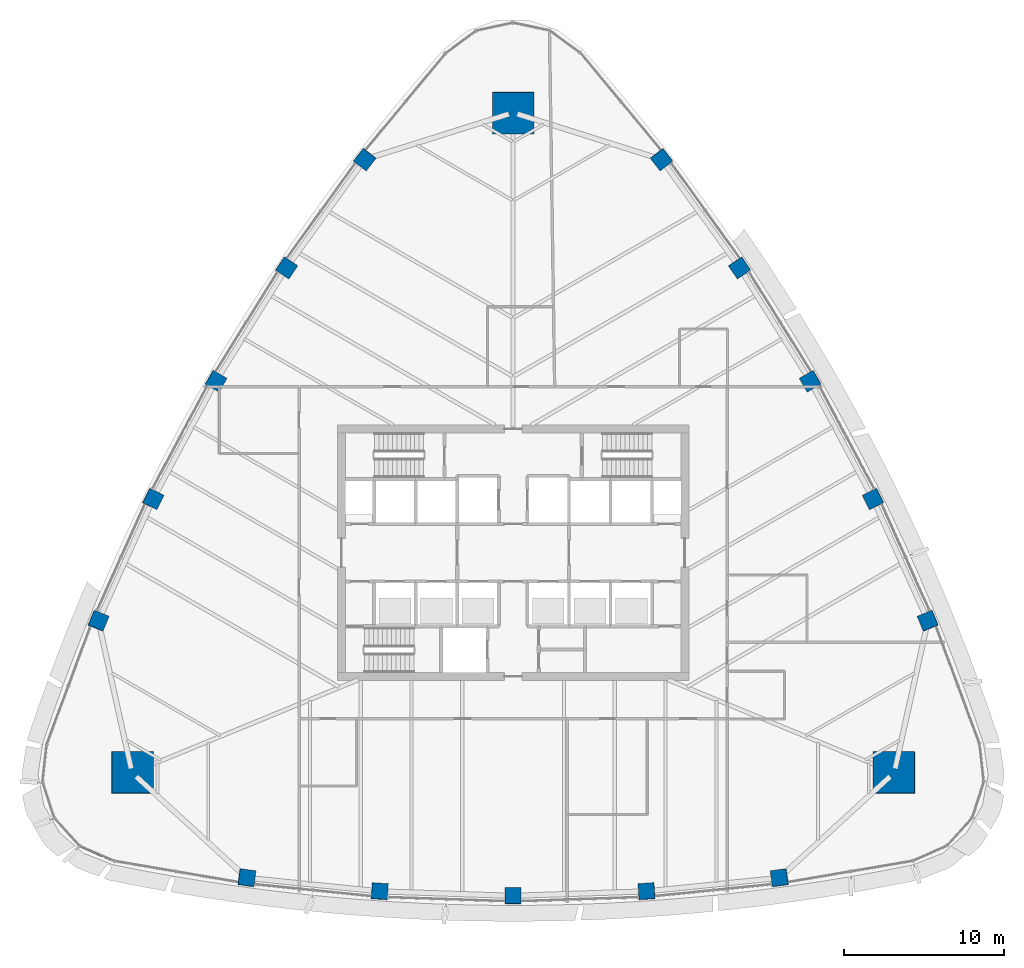
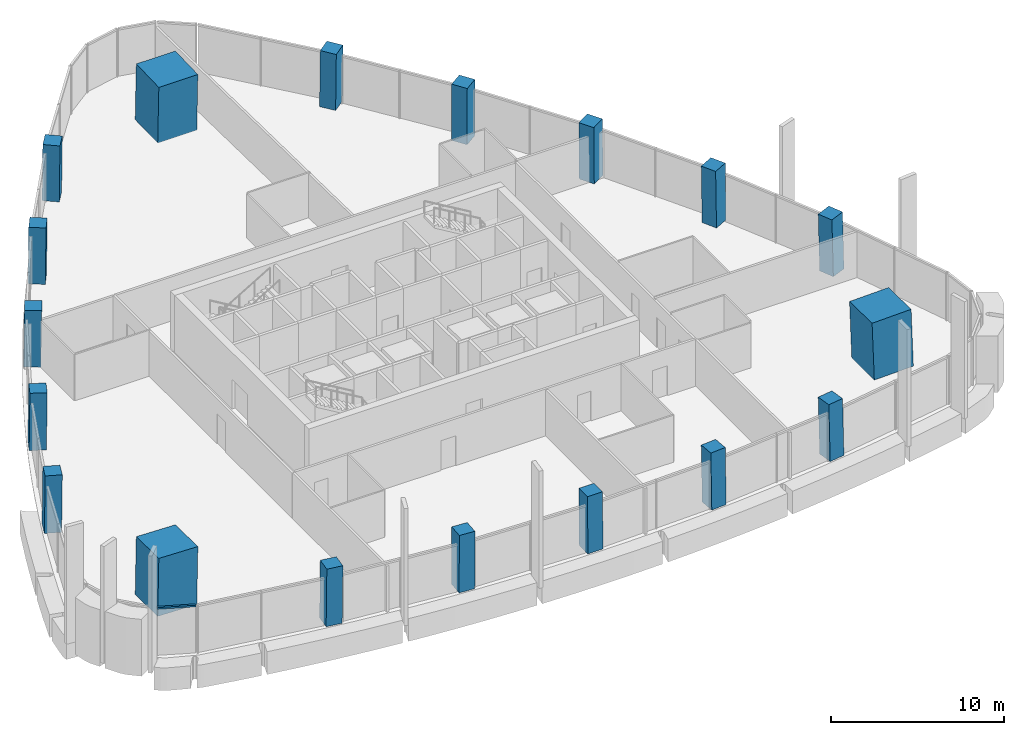
# One storey, part 1 of 17: 18 columns, 1 member, 1 element without a shape of its own.
"""IFC4 building model written with IfcOpenShell, lengths in metres."""

from ifc_helpers import new_model, si_unit, direction, frame, origin, origin_2d, place, context, subcontext, project, spatial, rectangle, extrude, material, layer, layer_set, material_profile, profile_set, type_object, element, aggregate, save


model = new_model("IFC4")

# Units and contexts
model_context = context("Model", 3, precision=1e-05, world=origin(), true_north=direction((0.0, 1.0)))
body_context = subcontext(model_context, "Body", "Model", "MODEL_VIEW")
ifc_project = project(units=[si_unit("LENGTHUNIT", "METRE"), si_unit("AREAUNIT", "SQUARE_METRE"), si_unit("VOLUMEUNIT", "CUBIC_METRE"), si_unit("PLANEANGLEUNIT", "RADIAN"), si_unit("MASSUNIT", "GRAM", prefix="KILO")], contexts=[model_context])

# Site, building, storey
site_placement = place(None, origin())
site = spatial("IfcSite", under=ifc_project, at=site_placement, CompositionType="ELEMENT")
building_placement = place(site_placement, origin())
building = spatial("IfcBuilding", under=site, at=building_placement, Name="Sierra Prisma Convention Tower", CompositionType="ELEMENT")
storey_placement = place(building_placement, frame((0.0, 0.0, 169.800048828125)))
storey = spatial("IfcBuildingStorey", under=building, at=storey_placement, Name="L37", CompositionType="ELEMENT", Elevation=169.800048828125)

# Columns
ifc_material_1 = material(Name="Concrete C60/75", Category="concrete")
ifc_material_profile_1 = material_profile(ifc_material_1, rectangle(XDim=2.60009765625, YDim=2.60009765625, at=origin_2d()), Name="Mega column RC 2600 C60/75")
ifc_profile_set_1 = profile_set([ifc_material_profile_1], Name="Concrete C60/75")
column_type_1 = type_object("IfcColumnType", Name="Mega column RC 2600 C60/75", PredefinedType="COLUMN", material=ifc_profile_set_1)
for number, where, z_axis, x_axis, name in (
    (1, (23.859375, -13.775146484375, 0.0), (-0.028000489904, 0.016165860184, 0.999477182096), (0.999607909415, 0.000452829555, 0.027996828039), "Mega column SE L37"),
    (2, (0.0, 27.55029296875, 0.0), (0.0, -0.032331720729, 0.999477193254), (1.0, 0.0, 0.0), "Mega column N L37"),
    (3, (-23.859375, -13.775146484375, 0.0), (0.028000489904, 0.016165860184, 0.999477182096), (0.999607909415, -0.000452829555, -0.027996828039), "Mega column SW L37"),
):
    element("IfcColumn", number, at=place(storey_placement, frame(where, z_axis=z_axis, x_axis=x_axis)), inside=storey, type_object=column_type_1, Name=name, PredefinedType="COLUMN", context=body_context, shape_type="SweptSolid", body=[
        extrude(rectangle(XDim=2.60009765625, YDim=2.60009765625, at=origin_2d()), origin(), (0.0, 0.0, 1.0), 4.002197265625),
    ])
ifc_material_2 = material(Name="Concrete C60/75", Category="concrete")
ifc_material_profile_2 = material_profile(ifc_material_2, rectangle(XDim=1.0, YDim=1.0, at=origin_2d()), Name="Perimeter column RC 1000 C60/75")
ifc_profile_set_2 = profile_set([ifc_material_profile_2], Name="Concrete C60/75")
column_type_2 = type_object("IfcColumnType", Name="Perimeter column RC 1000 C60/75", PredefinedType="COLUMN", material=ifc_profile_set_2)
column_1_placement = place(storey_placement, frame((-16.677490234375, -20.3564453125, 0.0), z_axis=(0.017635456472, 0.010434820265, 0.999790030557), x_axis=(-0.990763029768, 0.134648970227, 0.016070894879)))
element("IfcColumn", 4, at=column_1_placement, inside=storey, type_object=column_type_2, Name="Perimeter column S-1 L37", PredefinedType="COLUMN", context=body_context, shape_type="SweptSolid", body=[
    extrude(rectangle(XDim=1.0, YDim=1.0, at=origin_2d()), origin(), (0.0, 0.0, 1.0), 4.000732421875),
])
column_2_placement = place(storey_placement, frame((-8.35791015625, -21.200927734375, 0.0), z_axis=(0.008849199152, 0.01116829962, 0.999898475225), x_axis=(-0.99768763363, 0.067484561541, 0.008075868659)))
element("IfcColumn", 5, at=column_2_placement, inside=storey, type_object=column_type_2, Name="Perimeter column S-2 L37", PredefinedType="COLUMN", context=body_context, shape_type="SweptSolid", body=[
    extrude(rectangle(XDim=1.0, YDim=1.0, at=origin_2d()), origin(), (0.0, 0.0, 1.0), 4.00048828125),
])
column_3_placement = place(storey_placement, frame((0.0, -21.48291015625, 0.0), z_axis=(0.0, 0.011473854038, 0.99993417317), x_axis=(1.0, 0.0, 0.0)))
element("IfcColumn", 6, at=column_3_placement, inside=storey, type_object=column_type_2, Name="Perimeter column S-3 L37", PredefinedType="COLUMN", context=body_context, shape_type="SweptSolid", body=[
    extrude(rectangle(XDim=1.0, YDim=1.0, at=origin_2d()), origin(), (0.0, 0.0, 1.0), 4.000244140625),
])
column_4_placement = place(storey_placement, frame((8.35791015625, -21.200927734375, 0.0), z_axis=(-0.008849199152, 0.01116829962, 0.999898475225), x_axis=(0.99768763363, 0.067484561541, 0.008075868659)))
element("IfcColumn", 7, at=column_4_placement, inside=storey, type_object=column_type_2, Name="Perimeter column S-4 L37", PredefinedType="COLUMN", context=body_context, shape_type="SweptSolid", body=[
    extrude(rectangle(XDim=1.0, YDim=1.0, at=origin_2d()), origin(), (0.0, 0.0, 1.0), 4.00048828125),
])
for number, where, z_axis, x_axis, name in (
    (8, (16.677490234375, -20.3564453125, 0.0), (-0.017635456472, 0.010434820265, 0.999790030557), (0.990763029768, 0.134648970227, 0.016070894879), "Perimeter column S-5 L37"),
    (9, (25.968017578125, -4.264892578125, 0.0), (-0.0178795464, 0.010007664197, 0.999790062202), (-0.378940157256, 0.925282184988, -0.016038558619), "Perimeter column NE-1 L37"),
):
    element("IfcColumn", number, at=place(storey_placement, frame(where, z_axis=z_axis, x_axis=x_axis)), inside=storey, type_object=column_type_2, Name=name, PredefinedType="COLUMN", context=body_context, shape_type="SweptSolid", body=[
        extrude(rectangle(XDim=1.0, YDim=1.0, at=origin_2d()), origin(), (0.0, 0.0, 1.0), 4.000732421875),
    ])
column_5_placement = place(storey_placement, frame((22.539306640625, 3.3623046875, 0.0), z_axis=(-0.014097689605, 0.002074984617, 0.999898469639), x_axis=(-0.440457987569, 0.897736925302, -0.008073049963)))
element("IfcColumn", 10, at=column_5_placement, inside=storey, type_object=column_type_2, Name="Perimeter column NE-2 L37", PredefinedType="COLUMN", context=body_context, shape_type="SweptSolid", body=[
    extrude(rectangle(XDim=1.0, YDim=1.0, at=origin_2d()), origin(), (0.0, 0.0, 1.0), 4.00048828125),
])
column_6_placement = place(storey_placement, frame((18.604736328125, 10.741455078125, 0.0), z_axis=(-0.009887049298, -0.00573692984, 0.999934664812), x_axis=(-0.499975560967, 0.866039512843, 2.5126546e-05)))
element("IfcColumn", 11, at=column_6_placement, inside=storey, type_object=column_type_2, Name="Perimeter column NE-3 L37", PredefinedType="COLUMN", context=body_context, shape_type="SweptSolid", body=[
    extrude(rectangle(XDim=1.0, YDim=1.0, at=origin_2d()), origin(), (0.0, 0.0, 1.0), 4.000244140625),
])
column_7_placement = place(storey_placement, frame((14.181640625, 17.83837890625, 0.0), z_axis=(-0.005248490815, -0.013243284963, 0.999898529226), x_axis=(-0.557217261181, 0.830327500478, 0.008072533151)))
element("IfcColumn", 12, at=column_7_placement, inside=storey, type_object=column_type_2, Name="Perimeter column NE-4 L37", PredefinedType="COLUMN", context=body_context, shape_type="SweptSolid", body=[
    extrude(rectangle(XDim=1.0, YDim=1.0, at=origin_2d()), origin(), (0.0, 0.0, 1.0), 4.00048828125),
])
for number, where, z_axis, x_axis, name in (
    (13, (9.290283203125, 24.621337890625, 0.0), (-0.000183066973, -0.020503501027, 0.999789764367), (-0.6119163825, 0.790758484028, 0.016104681487), "Perimeter column NE-5 L37"),
    (14, (-9.290283203125, 24.621337890625, 0.0), (0.000183066973, -0.020503501027, 0.999789764367), (0.6119163825, 0.790758484028, 0.016104681487), "Perimeter column NW-1 L37"),
):
    element("IfcColumn", number, at=place(storey_placement, frame(where, z_axis=z_axis, x_axis=x_axis)), inside=storey, type_object=column_type_2, Name=name, PredefinedType="COLUMN", context=body_context, shape_type="SweptSolid", body=[
        extrude(rectangle(XDim=1.0, YDim=1.0, at=origin_2d()), origin(), (0.0, 0.0, 1.0), 4.000732421875),
    ])
column_8_placement = place(storey_placement, frame((-14.181640625, 17.83837890625, 0.0), z_axis=(0.005248490815, -0.013243284963, 0.999898529226), x_axis=(0.557217261181, 0.830327500478, 0.008072533151)))
element("IfcColumn", 15, at=column_8_placement, inside=storey, type_object=column_type_2, Name="Perimeter column NW-2 L37", PredefinedType="COLUMN", context=body_context, shape_type="SweptSolid", body=[
    extrude(rectangle(XDim=1.0, YDim=1.0, at=origin_2d()), origin(), (0.0, 0.0, 1.0), 4.00048828125),
])
column_9_placement = place(storey_placement, frame((-18.604736328125, 10.741455078125, 0.0), z_axis=(0.009887049298, -0.00573692984, 0.999934664812), x_axis=(0.499975560967, 0.866039512843, 2.5126546e-05)))
element("IfcColumn", 16, at=column_9_placement, inside=storey, type_object=column_type_2, Name="Perimeter column NW-3 L37", PredefinedType="COLUMN", context=body_context, shape_type="SweptSolid", body=[
    extrude(rectangle(XDim=1.0, YDim=1.0, at=origin_2d()), origin(), (0.0, 0.0, 1.0), 4.000244140625),
])
column_10_placement = place(storey_placement, frame((-22.539306640625, 3.3623046875, 0.0), z_axis=(0.014097689605, 0.002074984617, 0.999898469639), x_axis=(0.440457987569, 0.897736925302, -0.008073049963)))
element("IfcColumn", 17, at=column_10_placement, inside=storey, type_object=column_type_2, Name="Perimeter column NW-4 L37", PredefinedType="COLUMN", context=body_context, shape_type="SweptSolid", body=[
    extrude(rectangle(XDim=1.0, YDim=1.0, at=origin_2d()), origin(), (0.0, 0.0, 1.0), 4.00048828125),
])
column_11_placement = place(storey_placement, frame((-25.968017578125, -4.264892578125, 0.0), z_axis=(0.0178795464, 0.010007664197, 0.999790062202), x_axis=(0.378940157256, 0.925282184988, -0.016038558619)))
element("IfcColumn", 18, at=column_11_placement, inside=storey, type_object=column_type_2, Name="Perimeter column NW-5 L37", PredefinedType="COLUMN", context=body_context, shape_type="SweptSolid", body=[
    extrude(rectangle(XDim=1.0, YDim=1.0, at=origin_2d()), origin(), (0.0, 0.0, 1.0), 4.000732421875),
])

# Curtain wall, member
ifc_material_3 = material(Name="Aluminium and glass curtain wall", Category="aluminium")
ifc_layer = layer(ifc_material_3, 0.179931640625)
ifc_layer_set = layer_set([ifc_layer], Name="CW-1 Plain shaft curtain wall")
curtain_wall_type = type_object("IfcCurtainWallType", Name="CW-1 Plain shaft curtain wall", PredefinedType="NOTDEFINED", material=ifc_layer_set)
curtain_wall_placement = place(storey_placement, origin())
curtain_wall = element("IfcCurtainWall", 19, at=curtain_wall_placement, inside=storey, type_object=curtain_wall_type, Name="CW-1 SW4 L37", PredefinedType="NOTDEFINED")
ifc_material_4 = material(Name="Aluminium 6063-T6 bronze anodised", Category="aluminium")
ifc_material_profile_3 = material_profile(ifc_material_4, rectangle(XDim=0.139892578125, YDim=0.1201171875, at=origin_2d()), Name="ALU TRANSOM 120x140")
ifc_profile_set_3 = profile_set([ifc_material_profile_3], Name="Aluminium 6063-T6 bronze anodised")
member_type = type_object("IfcMemberType", Name="CW transom bronze", PredefinedType="USERDEFINED", material=ifc_profile_set_3)
member_placement = place(storey_placement, frame((-27.091552734375, -18.37451171875, 3.33984375), z_axis=(0.91570810507, -0.401844082088, 0.0), x_axis=(0.401844082088, 0.91570810507, 0.0)))
member = element("IfcMember", 20, at=member_placement, type_object=member_type, Name="CW-1 transom SW4.1", ObjectType="TRANSOM", PredefinedType="USERDEFINED", context=body_context, shape_type="SweptSolid", body=[
    extrude(rectangle(XDim=0.139892578125, YDim=0.1201171875, at=origin_2d()), origin(), (0.0, 0.0, 1.0), 2.22314453125),
])
aggregate(curtain_wall, [member])

save(model, "model.ifc")
